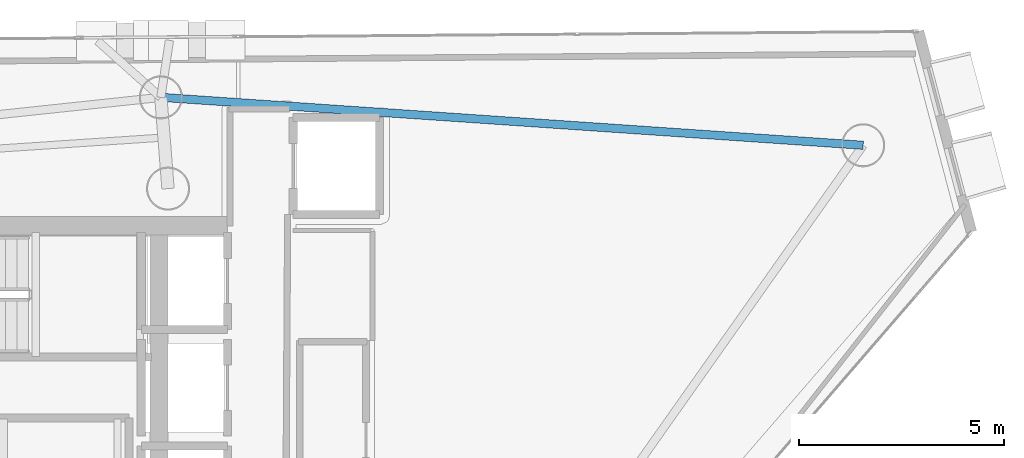
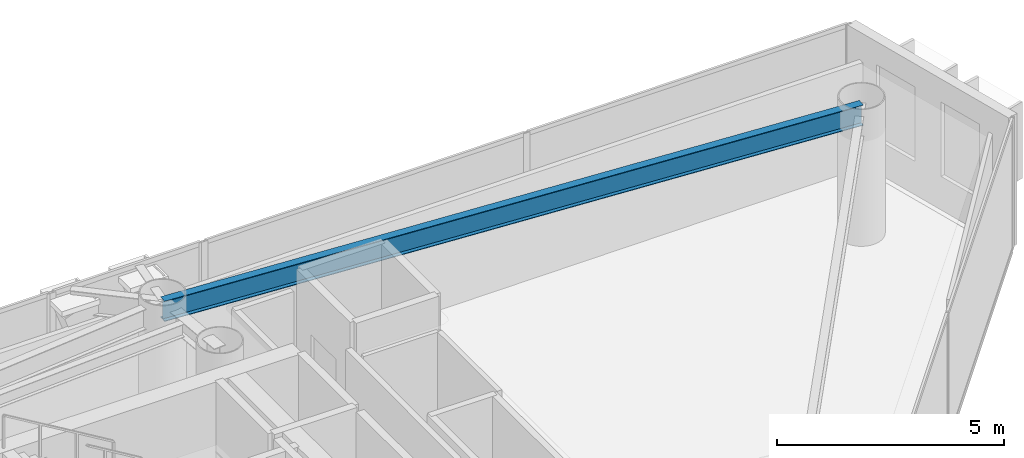
# One storey, part 12 of 21: 1 beam.
"""IFC4 building model written with IfcOpenShell, lengths in metres."""

import ifcopenshell
import ifcopenshell.guid

model = None  # the IFC model being written
_history = None  # IfcOwnerHistory: only IFC2X3 demands one
_inside = {}  # id of a spatial element -> (the spatial element, [elements in it])
_under = {}  # id of a project, library or spatial element -> (it, [spatial elements below it])
_declared = {}  # id of a project -> (the project, [libraries it declares])
_typed = {}  # id of a type object -> (the type object, [elements of that type])
_made_of = {}  # id of a material, layer set ... -> (it, [elements and type objects made of it])


def new_model(schema):
    """Start an empty IFC model of exactly this schema.

    Asked for "IFC4X3", IfcOpenShell would pick the latest addendum, in which some entities
    have other attributes; the version numbers below select the first issue.
    IFC2X3 requires an IfcOwnerHistory on every rooted entity: one is made here for all.
    """
    global model, _history
    if schema == "IFC4X3":
        model = ifcopenshell.file(schema_version=(4, 3, 0, 0))
    else:
        model = ifcopenshell.file(schema=schema)
    _inside.clear()
    _under.clear()
    _declared.clear()
    _typed.clear()
    _made_of.clear()
    _history = None
    if model.schema == "IFC2X3":
        org = make("IfcOrganization", Name="unknown")
        user = make(
            "IfcPersonAndOrganization",
            ThePerson=make("IfcPerson", FamilyName="unknown"),
            TheOrganization=org,
        )
        app = make(
            "IfcApplication",
            ApplicationDeveloper=org,
            Version="unknown",
            ApplicationFullName="unknown",
            ApplicationIdentifier="unknown",
        )
        _history = make(
            "IfcOwnerHistory",
            OwningUser=user,
            OwningApplication=app,
            ChangeAction="ADDED",
            CreationDate=0,
        )
    return model


def make(cls, **values):
    """One entity of the class cls with the attributes given. An attribute that is None is left unset."""
    return model.create_entity(
        cls, **{name: value for name, value in values.items() if value is not None}
    )


def rooted(cls, **values):
    """An entity with a GlobalId (a new one), such as an element, a storey or a relation."""
    return make(cls, GlobalId=ifcopenshell.guid.new(), OwnerHistory=_history, **values)


def si_unit(unit_type, name, prefix=None):
    """IfcSIUnit, for example si_unit("LENGTHUNIT", "METRE", prefix="MILLI")."""
    return make("IfcSIUnit", UnitType=unit_type, Prefix=prefix, Name=name)


def assignment(units):
    """IfcUnitAssignment: the units of a project."""
    return None if units is None else make("IfcUnitAssignment", Units=units)


def point(xyz):
    """IfcCartesianPoint."""
    return None if xyz is None else make("IfcCartesianPoint", Coordinates=xyz)


def direction(xyz):
    """IfcDirection."""
    return None if xyz is None else make("IfcDirection", DirectionRatios=xyz)


def frame(location, z_axis=None, x_axis=None):
    """IfcAxis2Placement3D, a coordinate frame: its origin and axes. An axis left out is left unset."""
    return make(
        "IfcAxis2Placement3D",
        Location=point(location),
        Axis=direction(z_axis),
        RefDirection=direction(x_axis),
    )


def frame_2d(location, x_axis=None):
    """IfcAxis2Placement2D, a coordinate frame in the plane: its origin and x axis."""
    return make(
        "IfcAxis2Placement2D", Location=point(location), RefDirection=direction(x_axis)
    )


def origin():
    """The frame at (0, 0, 0) with its axes left unset."""
    return frame((0.0, 0.0, 0.0))


def origin_2d():
    """The frame at (0, 0) in the plane with its x axis left unset."""
    return frame_2d((0.0, 0.0))


def place(relative_to, where):
    """IfcLocalPlacement: puts the frame where relative to a parent placement (None: the world)."""
    return make(
        "IfcLocalPlacement", PlacementRelTo=relative_to, RelativePlacement=where
    )


def context(
    kind, dimensions, precision=None, world=None, true_north=None, identifier=None
):
    """IfcGeometricRepresentationContext, for example the 3D "Model" context."""
    return make(
        "IfcGeometricRepresentationContext",
        ContextIdentifier=identifier,
        ContextType=kind,
        CoordinateSpaceDimension=dimensions,
        Precision=precision,
        WorldCoordinateSystem=world,
        TrueNorth=true_north,
    )


def subcontext(parent, identifier, kind, view, scale=None):
    """IfcGeometricRepresentationSubContext, for example "Body" below "Model"."""
    return make(
        "IfcGeometricRepresentationSubContext",
        ContextIdentifier=identifier,
        ContextType=kind,
        ParentContext=parent,
        TargetScale=scale,
        TargetView=view,
    )


def project(units=None, contexts=None):
    """IfcProject with its units and contexts."""
    return rooted(
        "IfcProject",
        Name="project",
        RepresentationContexts=contexts,
        UnitsInContext=assignment(units),
    )


def spatial(cls, under=None, at=None, **own):
    """A site, building, storey or space (cls), placed at a placement, below another one or the project."""
    s = rooted(cls, ObjectPlacement=at, **own)
    if under is not None:
        _under.setdefault(under.id(), (under, []))[1].append(s)
    return s


def profile(cls, at=None, kind="AREA", **sizes):
    """A parametric profile (cls). Its sizes go by their IFC names, for example OverallWidth=200.0."""
    return make(cls, ProfileType=kind, Position=at, **sizes)


def i_section(**sizes):
    """IfcIShapeProfileDef."""
    return profile("IfcIShapeProfileDef", **sizes)


def extrude(swept, where, along, depth):
    """IfcExtrudedAreaSolid: the profile swept, set in the frame where, extruded along a direction by depth."""
    return make(
        "IfcExtrudedAreaSolid",
        SweptArea=swept,
        Position=where,
        ExtrudedDirection=direction(along),
        Depth=depth,
    )


def shape(context_of_items, identifier, shape_type, items):
    """IfcShapeRepresentation: the items that make up one representation, for example the "Body"."""
    return make(
        "IfcShapeRepresentation",
        ContextOfItems=context_of_items,
        RepresentationIdentifier=identifier,
        RepresentationType=shape_type,
        Items=items,
    )


def material(Name=None, Category=None):
    """IfcMaterial."""
    return make("IfcMaterial", Name=Name, Category=Category)


def material_profile(
    of_material, cross_section, Name=None, Category=None, Priority=None
):
    """IfcMaterialProfile: a cross section and its material."""
    return make(
        "IfcMaterialProfile",
        Name=Name,
        Material=of_material,
        Profile=cross_section,
        Priority=Priority,
        Category=Category,
    )


def profile_set(profiles, Name=None, composite=None):
    """IfcMaterialProfileSet."""
    return make(
        "IfcMaterialProfileSet",
        Name=Name,
        MaterialProfiles=profiles,
        CompositeProfile=composite,
    )


def made_of(thing, what):
    """Note that an element or type object is made of a material, layer set ...; save() writes the relation."""
    if what is not None:
        _made_of.setdefault(what.id(), (what, []))[1].append(thing)
    return thing


def type_object(cls, material=None, **own):
    """A type object (cls), such as IfcWallType, which elements share."""
    return made_of(rooted(cls, **own), material)


def element(
    cls,
    number,
    at=None,
    inside=None,
    cuts=None,
    type_object=None,
    material=None,
    context=None,
    identifier="Body",
    shape_type=None,
    held_by="IfcProductDefinitionShape",
    body=None,
    shapes=None,
    **own,
):
    """One element of the class cls, such as IfcWall. Its Tag is "e" and its number.

    at: its placement. inside: the storey or other place that contains it. cuts: it is an
    opening in that element (IfcRelVoidsElement). A single representation is given by context,
    identifier, shape_type and body (its items); several are given by shapes. held_by: the class
    of the entity that holds the representations. save() writes the other relations.
    """
    e = rooted(cls, Tag="e%d" % number, ObjectPlacement=at, **own)
    if body is not None:
        shapes = [shape(context, identifier, shape_type, body)]
    if shapes is not None:
        e.Representation = make(held_by, Representations=shapes)
    if inside is not None:
        _inside.setdefault(inside.id(), (inside, []))[1].append(e)
    if cuts is not None:
        rooted(
            "IfcRelVoidsElement", RelatingBuildingElement=cuts, RelatedOpeningElement=e
        )
    if type_object is not None:
        _typed.setdefault(type_object.id(), (type_object, []))[1].append(e)
    return made_of(e, material)


def aggregate(whole, parts):
    """IfcRelAggregates: a whole, such as a stair, and the parts it consists of."""
    return rooted("IfcRelAggregates", RelatingObject=whole, RelatedObjects=parts)


def save(model, path):
    """Write the relations noted so far, then the file.

    IfcRelAggregates (storeys below a building ...), IfcRelContainedInSpatialStructure (elements
    in a storey), IfcRelDefinesByType, IfcRelAssociatesMaterial and IfcRelDeclares: one each for
    every whole, place, type object, material and project.
    """
    for whole, parts in _under.values():
        aggregate(whole, parts)
    for where, things in _inside.values():
        rooted(
            "IfcRelContainedInSpatialStructure",
            RelatedElements=things,
            RelatingStructure=where,
        )
    for kind, things in _typed.values():
        rooted("IfcRelDefinesByType", RelatedObjects=things, RelatingType=kind)
    for what, things in _made_of.values():
        rooted("IfcRelAssociatesMaterial", RelatedObjects=things, RelatingMaterial=what)
    for by, libraries in _declared.values():
        rooted("IfcRelDeclares", RelatingContext=by, RelatedDefinitions=libraries)
    model.write(path)


model = new_model("IFC4")

# Units and contexts
model_context = context("Model", 3, precision=1e-05, world=origin(), true_north=direction((0.0, 1.0)))
body_context = subcontext(model_context, "Body", "Model", "MODEL_VIEW")
ifc_project = project(units=[si_unit("LENGTHUNIT", "METRE"), si_unit("AREAUNIT", "SQUARE_METRE"), si_unit("VOLUMEUNIT", "CUBIC_METRE"), si_unit("PLANEANGLEUNIT", "RADIAN"), si_unit("MASSUNIT", "GRAM", prefix="KILO")], contexts=[model_context])

# Site, building, storey
site_placement = place(None, origin())
site = spatial("IfcSite", under=ifc_project, at=site_placement, CompositionType="ELEMENT")
building_placement = place(site_placement, origin())
building = spatial("IfcBuilding", under=site, at=building_placement, Name="Qianvela Tower", CompositionType="ELEMENT")
storey_placement = place(building_placement, frame((0.0, 0.0, 253.800048828125)))
storey = spatial("IfcBuildingStorey", under=building, at=storey_placement, Name="L65", CompositionType="ELEMENT", Elevation=253.800048828125)

# Beam
ifc_material = material(Name="Steel Q355B", Category="steel")
ifc_material_profile = material_profile(ifc_material, i_section(OverallWidth=0.199951171875, OverallDepth=0.550048828125, WebThickness=0.010009765625, FlangeThickness=0.01611328125, at=origin_2d()), Name="HN550x200x10x16")
ifc_profile_set = profile_set([ifc_material_profile], Name="Steel Q355B")
beam_type = type_object("IfcBeamType", Name="BM-HN550-GIRD", PredefinedType="BEAM", material=ifc_profile_set)
beam_placement = place(storey_placement, frame((55.33203125, 34.60498046875, 3.242919921875), z_axis=(-0.997677407473, 0.068116008525, 0.0), x_axis=(-0.068116008525, -0.997677407473, 0.0)))
element("IfcBeam", 1, at=beam_placement, inside=storey, type_object=beam_type, Name="L65 Perimeter Ring Spandrel Girder 1", PredefinedType="BEAM", context=body_context, shape_type="SweptSolid", body=[
    extrude(i_section(OverallWidth=0.199951171875, OverallDepth=0.550048828125, WebThickness=0.010009765625, FlangeThickness=0.01611328125, at=origin_2d()), origin(), (0.0, 0.0, 1.0), 17.146728515625),
])

save(model, "model.ifc")
